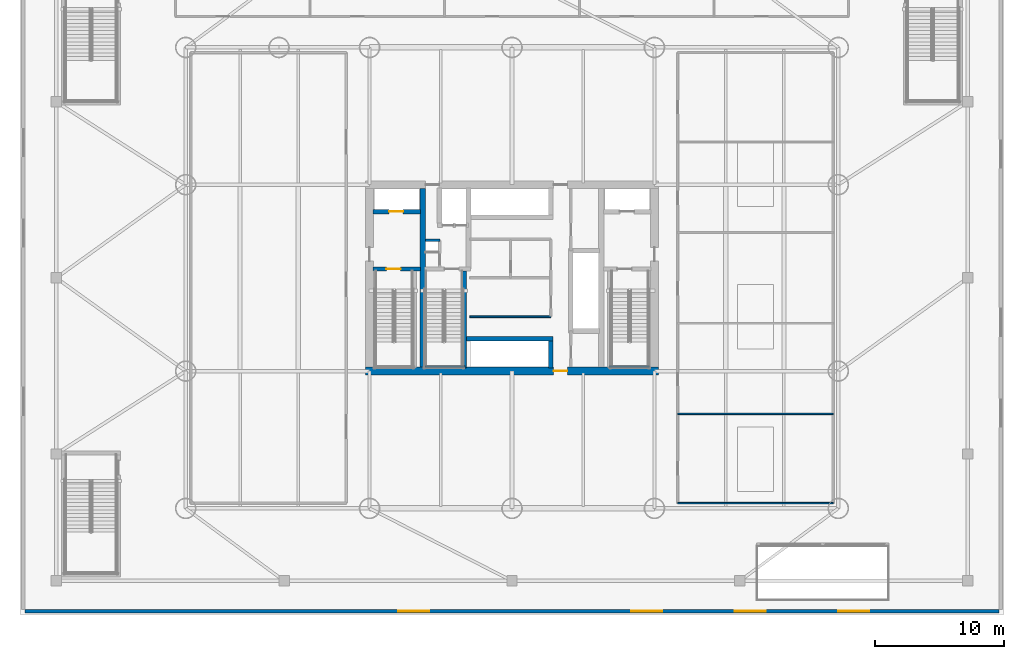
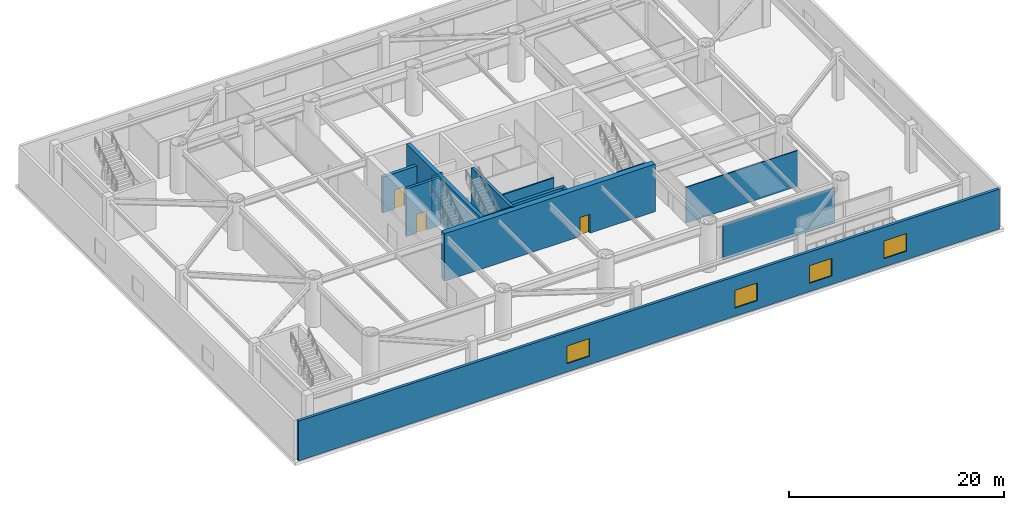
# One storey, part 6 of 16: 14 walls, 4 windows, 3 doors, 7 openings.
"""IFC4 building model written with IfcOpenShell, lengths in metres."""

from ifc_helpers import new_model, si_unit, direction, frame, frame_2d, origin, place, context, subcontext, project, spatial, rectangle, extrude, material, layer, layer_set, type_object, element, fill, save


model = new_model("IFC4")

# Units and contexts
model_context = context("Model", 3, precision=1e-05, world=origin(), true_north=direction((0.0, 1.0)))
body_context = subcontext(model_context, "Body", "Model", "MODEL_VIEW")
ifc_project = project(units=[si_unit("LENGTHUNIT", "METRE"), si_unit("AREAUNIT", "SQUARE_METRE"), si_unit("VOLUMEUNIT", "CUBIC_METRE"), si_unit("PLANEANGLEUNIT", "RADIAN"), si_unit("MASSUNIT", "GRAM", prefix="KILO")], contexts=[model_context])

# Site, building, storey
site_placement = place(None, origin())
site = spatial("IfcSite", under=ifc_project, at=site_placement, CompositionType="ELEMENT")
building_placement = place(site_placement, origin())
building = spatial("IfcBuilding", under=site, at=building_placement, Name="Bramvorn Convention Spire", CompositionType="ELEMENT")
storey_placement = place(building_placement, frame((0.0, 0.0, 30.0)))
storey = spatial("IfcBuildingStorey", under=building, at=storey_placement, Name="L05", CompositionType="ELEMENT", Elevation=30.0)

# Wall, opening, door
ifc_material_1 = material(Name="Concrete C60/70", Category="concrete")
ifc_layer_1 = layer(ifc_material_1, 0.60009765625)
ifc_layer_set_1 = layer_set([ifc_layer_1], Name="Concrete C60/70 - WL-CORE-600")
wall_type_1 = type_object("IfcWallType", Name="WL-CORE-600", PredefinedType="SHEAR", material=ifc_layer_set_1)
wall_1_placement = place(storey_placement, frame((26.699951171875, 18.800048828125, 0.0), z_axis=(0.0, 0.0, 1.0), x_axis=(1.0, 0.0, 0.0)))
wall_1 = element("IfcWall", 1, at=wall_1_placement, inside=storey, type_object=wall_type_1, Name="L05 South RC core shear wall", PredefinedType="SHEAR", context=body_context, shape_type="SweptSolid", body=[
    extrude(rectangle(XDim=22.60009765625, YDim=0.60009765625, at=frame_2d((11.300048828125, 0.0))), origin(), (0.0, 0.0, 1.0), 5.39990234375),
])
opening_1_placement = place(wall_1_placement, frame((14.52001953125, 0.0, 0.0)))
opening_1 = element("IfcOpeningElement", 2, at=opening_1_placement, cuts=wall_1, Name="Opening DL-105", PredefinedType="OPENING", context=body_context, shape_type="SweptSolid", body=[
    extrude(rectangle(XDim=1.050048828125, YDim=2.14990234375, at=frame_2d((0.52490234375, 1.074951171875))), frame((0.0, 0.31005859375, 0.0), z_axis=(0.0, -1.0, 0.0), x_axis=(1.0, 0.0, 0.0)), (0.0, 0.0, 1.0), 0.6201171875),
])
ifc_material_2 = material(Name="Smoke-Sealed Fire Lobby Timber-Core Door", Category="wood")
door_type_1 = type_object("IfcDoorType", Name="DR-LOBBY-1050", OperationType="NOTDEFINED", PredefinedType="DOOR", material=ifc_material_2)
door_1_placement = place(opening_1_placement, origin())
door_1 = element("IfcDoor", 3, at=door_1_placement, inside=storey, type_object=door_type_1, Name="L05 South Lift Lobby fire door", OperationType="SINGLE_SWING_RIGHT", OverallHeight=2.14990234375, OverallWidth=1.050048828125, PredefinedType="DOOR", context=body_context, shape_type="SweptSolid", body=[
    extrude(rectangle(XDim=1.050048828125, YDim=2.14990234375, at=frame_2d((0.52490234375, 1.074951171875))), frame((0.0, 0.02490234375, 0.0), z_axis=(0.0, -1.0, 0.0), x_axis=(1.0, 0.0, 0.0)), (0.0, 0.0, 1.0), 0.050048828125),
])
fill(opening_1, door_1)

ifc_material_3 = material(Name="Concrete C50/60", Category="concrete")
ifc_layer_2 = layer(ifc_material_3, 0.35009765625)
ifc_layer_set_2 = layer_set([ifc_layer_2], Name="Concrete C50/60 - WL-CORE-INT-350")
wall_type_2 = type_object("IfcWallType", Name="WL-CORE-INT-350", PredefinedType="SHEAR", material=ifc_layer_set_2)
wall_2_placement = place(storey_placement, frame((27.25, 31.1201171875, 0.0), z_axis=(0.0, 0.0, 1.0), x_axis=(1.0, 0.0, 0.0)))
wall_2 = element("IfcWall", 4, at=wall_2_placement, inside=storey, type_object=wall_type_2, Name="L05 FE1 shaft front wall", PredefinedType="SHEAR", context=body_context, shape_type="SweptSolid", body=[
    extrude(rectangle(XDim=3.669921875, YDim=0.35009765625, at=frame_2d((1.8349609375, 0.0))), origin(), (0.0, 0.0, 1.0), 4.06005859375),
])
opening_2_placement = place(wall_2_placement, frame((1.25, 0.0, 0.0)))
opening_2 = element("IfcOpeningElement", 5, at=opening_2_placement, cuts=wall_2, Name="Opening LD-110", PredefinedType="OPENING", context=body_context, shape_type="SweptSolid", body=[
    extrude(rectangle(XDim=1.10009765625, YDim=2.14990234375, at=frame_2d((0.550048828125, 1.074951171875))), frame((0.0, 0.18505859375, 0.0), z_axis=(0.0, -1.0, 0.0), x_axis=(1.0, 0.0, 0.0)), (0.0, 0.0, 1.0), 0.3701171875),
])
ifc_material_4 = material(Name="Firefighting & Service Lift Sliding Landing Door", Category="steel")
door_type_2 = type_object("IfcDoorType", Name="DR-LIFT-LD-1100", OperationType="NOTDEFINED", PredefinedType="DOOR", material=ifc_material_4)
door_2_placement = place(opening_2_placement, origin())
door_2 = element("IfcDoor", 6, at=door_2_placement, inside=storey, type_object=door_type_2, Name="L05 Lift FE1 Sliding Landing Door", OperationType="SLIDING_TO_LEFT", OverallHeight=2.14990234375, OverallWidth=1.10009765625, PredefinedType="DOOR", context=body_context, shape_type="SweptSolid", body=[
    extrude(rectangle(XDim=1.10009765625, YDim=2.14990234375, at=frame_2d((0.550048828125, 1.074951171875))), frame((0.0, 0.02490234375, 0.0), z_axis=(0.0, -1.0, 0.0), x_axis=(1.0, 0.0, 0.0)), (0.0, 0.0, 1.0), 0.050048828125),
])
fill(opening_2, door_2)

# Walls
wall_3_placement = place(storey_placement, frame((34.489990234375, 21.300048828125, 0.0), z_axis=(0.0, 0.0, 1.0), x_axis=(1.0, 0.0, 0.0)))
element("IfcWall", 7, at=wall_3_placement, inside=storey, type_object=wall_type_2, Name="L05 Mid-rise bank north landing wall", PredefinedType="SHEAR", context=body_context, shape_type="SweptSolid", body=[
    extrude(rectangle(XDim=6.679931640625, YDim=0.35009765625, at=frame_2d((3.33984375, 0.0))), origin(), (0.0, 0.0, 1.0), 4.06005859375),
])
wall_4_placement = place(storey_placement, frame((41.0, 19.050048828125, 0.0), z_axis=(0.0, 0.0, 1.0), x_axis=(0.0, 1.0, 0.0)))
element("IfcWall", 8, at=wall_4_placement, inside=storey, type_object=wall_type_2, Name="L05 Mid-rise bank east cheek wall", PredefinedType="SHEAR", context=body_context, shape_type="SweptSolid", body=[
    extrude(rectangle(XDim=2.079833984375, YDim=0.35009765625, at=frame_2d((1.0400390625, 0.0))), origin(), (0.0, 0.0, 1.0), 4.06005859375),
])
ifc_layer_3 = layer(ifc_material_1, 0.39990234375)
ifc_layer_set_3 = layer_set([ifc_layer_3], Name="Concrete C60/70 - WL-CORE-INT-400")
wall_type_3 = type_object("IfcWallType", Name="WL-CORE-INT-400", PredefinedType="SHEAR", material=ifc_layer_set_3)
wall_5_placement = place(storey_placement, frame((31.10009765625, 19.10009765625, 0.0), z_axis=(0.0, 0.0, 1.0), x_axis=(0.0, 1.0, 0.0)))
element("IfcWall", 9, at=wall_5_placement, inside=storey, type_object=wall_type_3, Name="L05 West internal core shear web", PredefinedType="SHEAR", context=body_context, shape_type="SweptSolid", body=[
    extrude(rectangle(XDim=13.7998046875, YDim=0.39990234375, at=frame_2d((6.89990234375, 0.0))), origin(), (0.0, 0.0, 1.0), 5.39990234375),
])

# Wall, openings, windows
ifc_material_5 = material(Name="Precast Concrete C40/50 with Bronze Terracotta Rainscreen", Category="masonry")
ifc_layer_4 = layer(ifc_material_5, 0.300048828125)
ifc_layer_set_4 = layer_set([ifc_layer_4], Name="Precast Concrete C40/50 with Bronze Terracotta Rainscreen - WL-EXT-BRONZE-300")
wall_type_4 = type_object("IfcWallType", Name="WL-EXT-BRONZE-300", PredefinedType="SOLIDWALL", material=ifc_layer_set_4)
wall_6_placement = place(storey_placement, frame((75.60009765625, 0.25, 0.0), z_axis=(0.0, 0.0, 1.0), x_axis=(-1.0, 0.0, 0.0)))
wall_6 = element("IfcWall", 10, at=wall_6_placement, inside=storey, type_object=wall_type_4, Name="L05 South podium bronze facade wall", PredefinedType="SOLIDWALL", context=body_context, shape_type="SweptSolid", body=[
    extrude(rectangle(XDim=75.2001953125, YDim=0.300048828125, at=frame_2d((37.60009765625, 0.0))), origin(), (0.0, 0.0, 1.0), 4.510009765625),
])
opening_3_placement = place(wall_6_placement, frame((10.0, 0.0, 0.949951171875)))
opening_3 = element("IfcOpeningElement", 11, at=opening_3_placement, cuts=wall_6, Name="Opening WN05", PredefinedType="OPENING", context=body_context, shape_type="SweptSolid", body=[
    extrude(rectangle(XDim=2.39990234375, YDim=2.0, at=frame_2d((1.199951171875, 1.0))), frame((0.0, 0.159912109375, 0.0), z_axis=(0.0, -1.0, 0.0), x_axis=(1.0, 0.0, 0.0)), (0.0, 0.0, 1.0), 0.320068359375),
])
opening_4_placement = place(wall_6_placement, frame((18.0, 0.0, 0.949951171875)))
opening_4 = element("IfcOpeningElement", 12, at=opening_4_placement, cuts=wall_6, Name="Opening WN05", PredefinedType="OPENING", context=body_context, shape_type="SweptSolid", body=[
    extrude(rectangle(XDim=2.39990234375, YDim=2.0, at=frame_2d((1.199951171875, 1.0))), frame((0.0, 0.159912109375, 0.0), z_axis=(0.0, -1.0, 0.0), x_axis=(1.0, 0.0, 0.0)), (0.0, 0.0, 1.0), 0.320068359375),
])
opening_5_placement = place(wall_6_placement, frame((26.0, 0.0, 0.949951171875)))
opening_5 = element("IfcOpeningElement", 13, at=opening_5_placement, cuts=wall_6, Name="Opening WN05", PredefinedType="OPENING", context=body_context, shape_type="SweptSolid", body=[
    extrude(rectangle(XDim=2.39990234375, YDim=2.0, at=frame_2d((1.199951171875, 1.0))), frame((0.0, 0.159912109375, 0.0), z_axis=(0.0, -1.0, 0.0), x_axis=(1.0, 0.0, 0.0)), (0.0, 0.0, 1.0), 0.320068359375),
])
opening_6_placement = place(wall_6_placement, frame((44.0, 0.0, 0.949951171875)))
opening_6 = element("IfcOpeningElement", 14, at=opening_6_placement, cuts=wall_6, Name="Opening WN05", PredefinedType="OPENING", context=body_context, shape_type="SweptSolid", body=[
    extrude(rectangle(XDim=2.39990234375, YDim=2.0, at=frame_2d((1.199951171875, 1.0))), frame((0.0, 0.159912109375, 0.0), z_axis=(0.0, -1.0, 0.0), x_axis=(1.0, 0.0, 0.0)), (0.0, 0.0, 1.0), 0.320068359375),
])
ifc_material_6 = material(Name="Thermally Broken Bronze Aluminium & Triple Low-E Glass", Category="aluminium")
window_type = type_object("IfcWindowType", Name="WN-OP-2400X2000", PartitioningType="SINGLE_PANEL", PredefinedType="WINDOW", material=ifc_material_6)
window_1_placement = place(opening_3_placement, origin())
window_1 = element("IfcWindow", 15, at=window_1_placement, inside=storey, type_object=window_type, Name="L05 South operable convention window 1", OverallHeight=2.0, OverallWidth=2.39990234375, PartitioningType="SINGLE_PANEL", PredefinedType="WINDOW", context=body_context, shape_type="SweptSolid", body=[
    extrude(rectangle(XDim=2.39990234375, YDim=2.0, at=frame_2d((1.199951171875, 1.0))), frame((0.0, 0.030029296875, 0.0), z_axis=(0.0, -1.0, 0.0), x_axis=(1.0, 0.0, 0.0)), (0.0, 0.0, 1.0), 0.06005859375),
])
fill(opening_3, window_1)
window_2_placement = place(opening_4_placement, origin())
window_2 = element("IfcWindow", 16, at=window_2_placement, inside=storey, type_object=window_type, Name="L05 South operable convention window 2", OverallHeight=2.0, OverallWidth=2.39990234375, PartitioningType="SINGLE_PANEL", PredefinedType="WINDOW", context=body_context, shape_type="SweptSolid", body=[
    extrude(rectangle(XDim=2.39990234375, YDim=2.0, at=frame_2d((1.199951171875, 1.0))), frame((0.0, 0.030029296875, 0.0), z_axis=(0.0, -1.0, 0.0), x_axis=(1.0, 0.0, 0.0)), (0.0, 0.0, 1.0), 0.06005859375),
])
fill(opening_4, window_2)
window_3_placement = place(opening_5_placement, origin())
window_3 = element("IfcWindow", 17, at=window_3_placement, inside=storey, type_object=window_type, Name="L05 South operable convention window 3", OverallHeight=2.0, OverallWidth=2.39990234375, PartitioningType="SINGLE_PANEL", PredefinedType="WINDOW", context=body_context, shape_type="SweptSolid", body=[
    extrude(rectangle(XDim=2.39990234375, YDim=2.0, at=frame_2d((1.199951171875, 1.0))), frame((0.0, 0.030029296875, 0.0), z_axis=(0.0, -1.0, 0.0), x_axis=(1.0, 0.0, 0.0)), (0.0, 0.0, 1.0), 0.06005859375),
])
fill(opening_5, window_3)
window_4_placement = place(opening_6_placement, origin())
window_4 = element("IfcWindow", 18, at=window_4_placement, inside=storey, type_object=window_type, Name="L05 South operable convention window 4", OverallHeight=2.0, OverallWidth=2.39990234375, PartitioningType="SINGLE_PANEL", PredefinedType="WINDOW", context=body_context, shape_type="SweptSolid", body=[
    extrude(rectangle(XDim=2.39990234375, YDim=2.0, at=frame_2d((1.199951171875, 1.0))), frame((0.0, 0.030029296875, 0.0), z_axis=(0.0, -1.0, 0.0), x_axis=(1.0, 0.0, 0.0)), (0.0, 0.0, 1.0), 0.06005859375),
])
fill(opening_6, window_4)

# Walls
ifc_material_7 = material(Name="Lightweight En-Suite & Wet-Wall Partition", Category="gypsum")
ifc_layer_5 = layer(ifc_material_7, 0.110107421875)
ifc_layer_set_5 = layer_set([ifc_layer_5], Name="Lightweight En-Suite & Wet-Wall Partition - WL-PART-110")
wall_type_5 = type_object("IfcWallType", Name="WL-PART-110", PredefinedType="PARTITIONING", material=ifc_layer_set_5)
for number, where, z_axis, x_axis, name in (
    (19, (50.800048828125, 8.60009765625, 0.0), (0.0, 0.0, 1.0), (1.0, 0.0, 0.0), "L05 Seminar divider 0"),
    (20, (50.800048828125, 15.5, 0.0), (0.0, 0.0, 1.0), (1.0, 0.0, 0.0), "L05 Seminar divider 1"),
):
    element("IfcWall", number, at=place(storey_placement, frame(where, z_axis=z_axis, x_axis=x_axis)), inside=storey, type_object=wall_type_5, Name=name, PredefinedType="PARTITIONING", context=body_context, shape_type="SweptSolid", body=[
        extrude(rectangle(XDim=12.0, YDim=0.110107421875, at=frame_2d((6.0, 0.0))), origin(), (0.0, 0.0, 1.0), 4.06005859375),
    ])
ifc_material_8 = material(Name="Acoustic Metal-Stud Tenant/Corridor Partition", Category="gypsum")
ifc_layer_6 = layer(ifc_material_8, 0.14990234375)
ifc_layer_set_6 = layer_set([ifc_layer_6], Name="Acoustic Metal-Stud Tenant/Corridor Partition - WL-PART-150")
wall_type_6 = type_object("IfcWallType", Name="WL-PART-150", PredefinedType="PARTITIONING", material=ifc_layer_set_6)
wall_7_placement = place(storey_placement, frame((34.75, 23.0, 0.0), z_axis=(0.0, 0.0, 1.0), x_axis=(1.0, 0.0, 0.0)))
element("IfcWall", 21, at=wall_7_placement, inside=storey, type_object=wall_type_6, Name="L05 Mid-rise lift vestibule north wall", PredefinedType="PARTITIONING", context=body_context, shape_type="SweptSolid", body=[
    extrude(rectangle(XDim=6.25, YDim=0.14990234375, at=frame_2d((3.125, 0.0))), origin(), (0.0, 0.0, 1.0), 4.06005859375),
])
ifc_material_9 = material(Name="Gypsum Shaftwall & Rockwool Core Partition", Category="gypsum")
ifc_layer_7 = layer(ifc_material_9, 0.199951171875)
ifc_layer_set_7 = layer_set([ifc_layer_7], Name="Gypsum Shaftwall & Rockwool Core Partition - WL-PART-200-FR")
wall_type_7 = type_object("IfcWallType", Name="WL-PART-200-FR", PredefinedType="PARTITIONING", material=ifc_layer_set_7)
wall_8_placement = place(storey_placement, frame((31.300048828125, 28.89990234375, 0.0), z_axis=(0.0, 0.0, 1.0), x_axis=(1.0, 0.0, 0.0)))
element("IfcWall", 22, at=wall_8_placement, inside=storey, type_object=wall_type_7, Name="L05 Telecom riser north wall", PredefinedType="PARTITIONING", context=body_context, shape_type="SweptSolid", body=[
    extrude(rectangle(XDim=1.119873046875, YDim=0.199951171875, at=frame_2d((0.56005859375, 0.0))), origin(), (0.0, 0.0, 1.0), 4.06005859375),
])

# Wall, opening, door
ifc_layer_8 = layer(ifc_material_3, 0.300048828125)
ifc_layer_set_8 = layer_set([ifc_layer_8], Name="Concrete C50/60 - WL-POD-STAIR-300")
wall_type_8 = type_object("IfcWallType", Name="WL-POD-STAIR-300", PredefinedType="SHEAR", material=ifc_layer_set_8)
wall_9_placement = place(storey_placement, frame((27.25, 26.68994140625, 0.0), z_axis=(0.0, 0.0, 1.0), x_axis=(1.0, 0.0, 0.0)))
wall_9 = element("IfcWall", 23, at=wall_9_placement, inside=storey, type_object=wall_type_8, Name="L05 ST1 north fire wall", PredefinedType="SHEAR", context=body_context, shape_type="SweptSolid", body=[
    extrude(rectangle(XDim=3.669921875, YDim=0.300048828125, at=frame_2d((1.8349609375, 0.0))), origin(), (0.0, 0.0, 1.0), 5.39990234375),
])
opening_7_placement = place(wall_9_placement, frame((1.050048828125, 0.0, 0.0)))
opening_7 = element("IfcOpeningElement", 24, at=opening_7_placement, cuts=wall_9, Name="Opening DS-110", PredefinedType="OPENING", context=body_context, shape_type="SweptSolid", body=[
    extrude(rectangle(XDim=1.10009765625, YDim=2.14990234375, at=frame_2d((0.550048828125, 1.074951171875))), frame((0.0, 0.159912109375, 0.0), z_axis=(0.0, -1.0, 0.0), x_axis=(1.0, 0.0, 0.0)), (0.0, 0.0, 1.0), 0.320068359375),
])
ifc_material_10 = material(Name="Fire-Rated Hollow Steel Stairwell Door", Category="steel")
door_type_3 = type_object("IfcDoorType", Name="DR-STAIR-1100", OperationType="NOTDEFINED", PredefinedType="DOOR", material=ifc_material_10)
door_3_placement = place(opening_7_placement, origin())
door_3 = element("IfcDoor", 25, at=door_3_placement, inside=storey, type_object=door_type_3, Name="L05 Stair ST1 fire door", OperationType="SINGLE_SWING_LEFT", OverallHeight=2.14990234375, OverallWidth=1.10009765625, PredefinedType="DOOR", context=body_context, shape_type="SweptSolid", body=[
    extrude(rectangle(XDim=1.10009765625, YDim=2.14990234375, at=frame_2d((0.550048828125, 1.074951171875))), frame((0.0, 0.02490234375, 0.0), z_axis=(0.0, -1.0, 0.0), x_axis=(1.0, 0.0, 0.0)), (0.0, 0.0, 1.0), 0.050048828125),
])
fill(opening_7, door_3)

# Walls
wall_10_placement = place(storey_placement, frame((34.340087890625, 19.050048828125, 0.0), z_axis=(0.0, 0.0, 1.0), x_axis=(0.0, 1.0, 0.0)))
element("IfcWall", 26, at=wall_10_placement, inside=storey, type_object=wall_type_8, Name="L05 ST3 east bearing wall", PredefinedType="SHEAR", context=body_context, shape_type="SweptSolid", body=[
    extrude(rectangle(XDim=7.5, YDim=0.300048828125, at=frame_2d((3.75, 0.0))), origin(), (0.0, 0.0, 1.0), 5.39990234375),
])
ifc_layer_9 = layer(ifc_material_3, 0.1201171875)
ifc_layer_set_9 = layer_set([ifc_layer_9], Name="Concrete C50/60 - WL-STAIR-RC-120")
wall_type_9 = type_object("IfcWallType", Name="WL-STAIR-RC-120", PredefinedType="SHEAR", material=ifc_layer_set_9)
wall_11_placement = place(storey_placement, frame((45.510009765625, 19.159912109375, 0.0), z_axis=(0.0, 0.0, 1.0), x_axis=(1.0, 0.0, 0.0)))
element("IfcWall", 27, at=wall_11_placement, inside=storey, type_object=wall_type_9, Name="L05 ST2 south bearing shear wall", PredefinedType="SHEAR", context=body_context, shape_type="SweptSolid", body=[
    extrude(rectangle(XDim=3.094970703125, YDim=0.1201171875, at=frame_2d((1.54736328125, 0.0))), origin(), (0.0, 0.0, 1.0), 5.39990234375),
])
wall_12_placement = place(storey_placement, frame((31.300048828125, 19.159912109375, 0.0), z_axis=(0.0, 0.0, 1.0), x_axis=(1.0, 0.0, 0.0)))
element("IfcWall", 28, at=wall_12_placement, inside=storey, type_object=wall_type_9, Name="L05 ST3 south bearing shear wall", PredefinedType="SHEAR", context=body_context, shape_type="SweptSolid", body=[
    extrude(rectangle(XDim=3.0400390625, YDim=0.1201171875, at=frame_2d((1.52001953125, 0.0))), origin(), (0.0, 0.0, 1.0), 5.39990234375),
])

save(model, "model.ifc")
